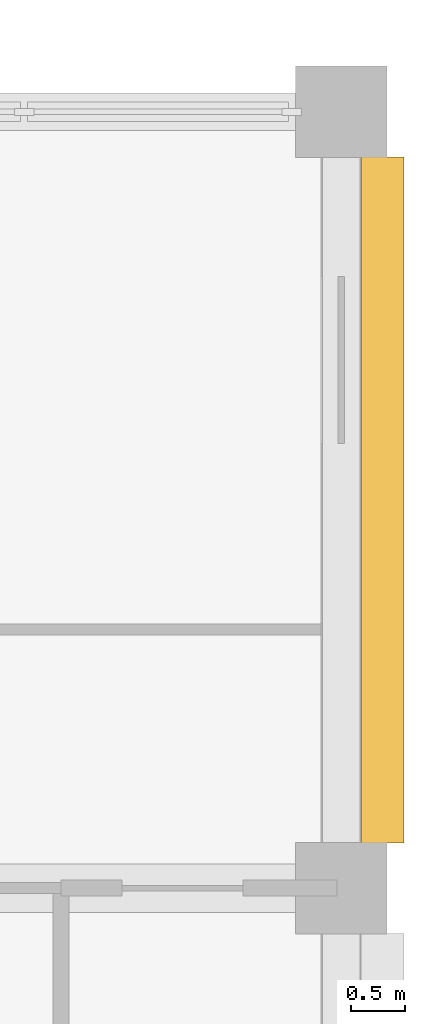
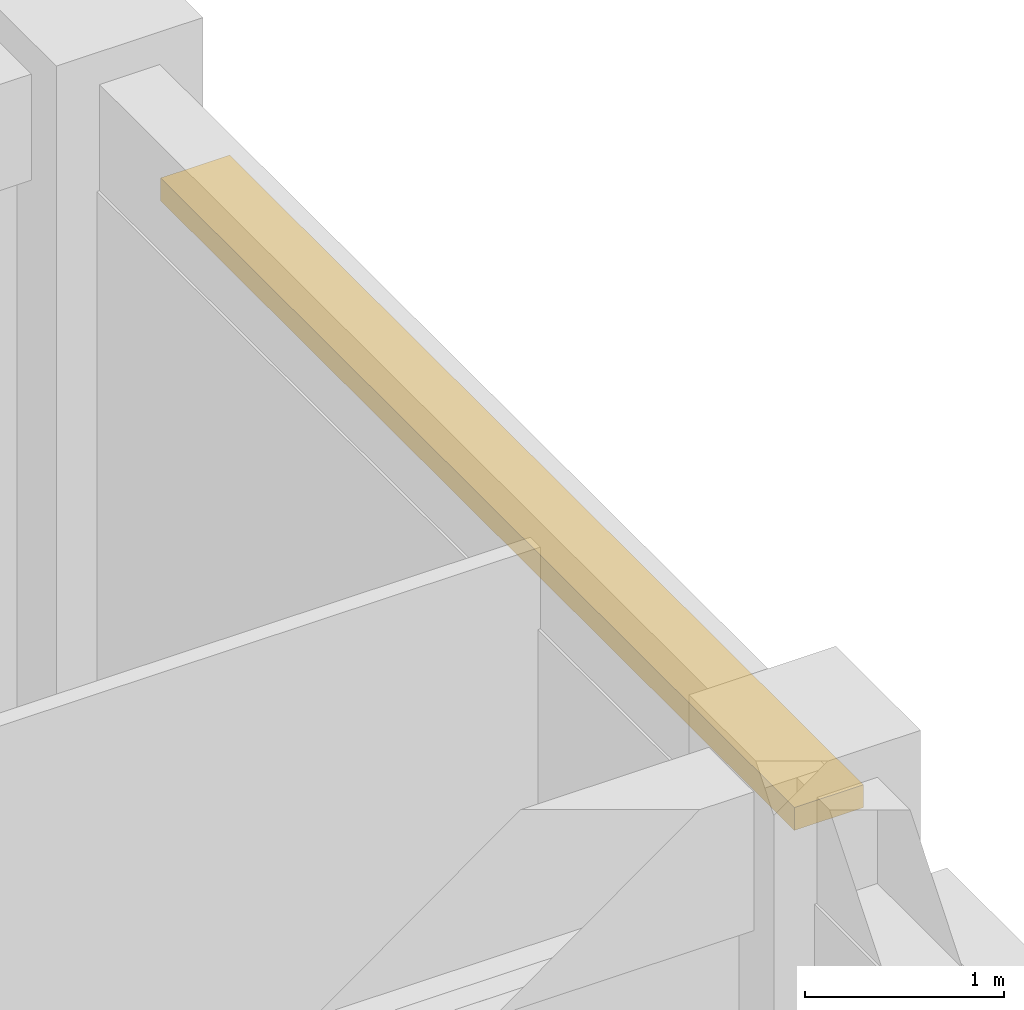
# One storey, part 58 of 58: 1 shading device.
"""IFC4 building model written with IfcOpenShell, lengths in metres."""

from ifc_helpers import new_model, si_unit, direction, frame, origin, origin_2d, place, context, subcontext, project, spatial, rectangle, extrude, material, type_object, element, save


model = new_model("IFC4")

# Units and contexts
model_context = context("Model", 3, precision=1e-05, world=origin(), true_north=direction((0.0, 1.0)))
body_context = subcontext(model_context, "Body", "Model", "MODEL_VIEW")
ifc_project = project(units=[si_unit("LENGTHUNIT", "METRE"), si_unit("AREAUNIT", "SQUARE_METRE"), si_unit("VOLUMEUNIT", "CUBIC_METRE"), si_unit("PLANEANGLEUNIT", "RADIAN"), si_unit("MASSUNIT", "GRAM", prefix="KILO")], contexts=[model_context])

# Site, building, storey
site_placement = place(None, origin())
site = spatial("IfcSite", under=ifc_project, at=site_placement, CompositionType="ELEMENT")
building_placement = place(site_placement, origin())
building = spatial("IfcBuilding", under=site, at=building_placement, Name="Chengyuan Square Courthouse", CompositionType="ELEMENT")
storey_placement = place(building_placement, frame((0.0, 0.0, 16.199951171875)))
storey = spatial("IfcBuildingStorey", under=building, at=storey_placement, Name="L04", CompositionType="ELEMENT", Elevation=16.199951171875)

# Shading device
ifc_material = material(Name="Glulam TCt28 Facade Sunshade", Category="wood")
shading_device_type = type_object("IfcShadingDeviceType", Name="SHD-03", PredefinedType="AWNING", material=ifc_material)
shading_device_placement = place(storey_placement, frame((168.382080078125, 104.39990234375, 4.35986328125), z_axis=(0.0, 0.0, 1.0), x_axis=(0.0, 1.0, 0.0)))
element("IfcShadingDevice", 1, at=shading_device_placement, inside=storey, type_object=shading_device_type, Name="Glulam Facade Sunshade SHD-L04-0522", PredefinedType="AWNING", context=body_context, shape_type="SweptSolid", body=[
    extrude(rectangle(XDim=6.360107421875, YDim=0.39990234375, at=origin_2d()), origin(), (0.0, 0.0, 1.0), 0.139892578125),
])

save(model, "model.ifc")
